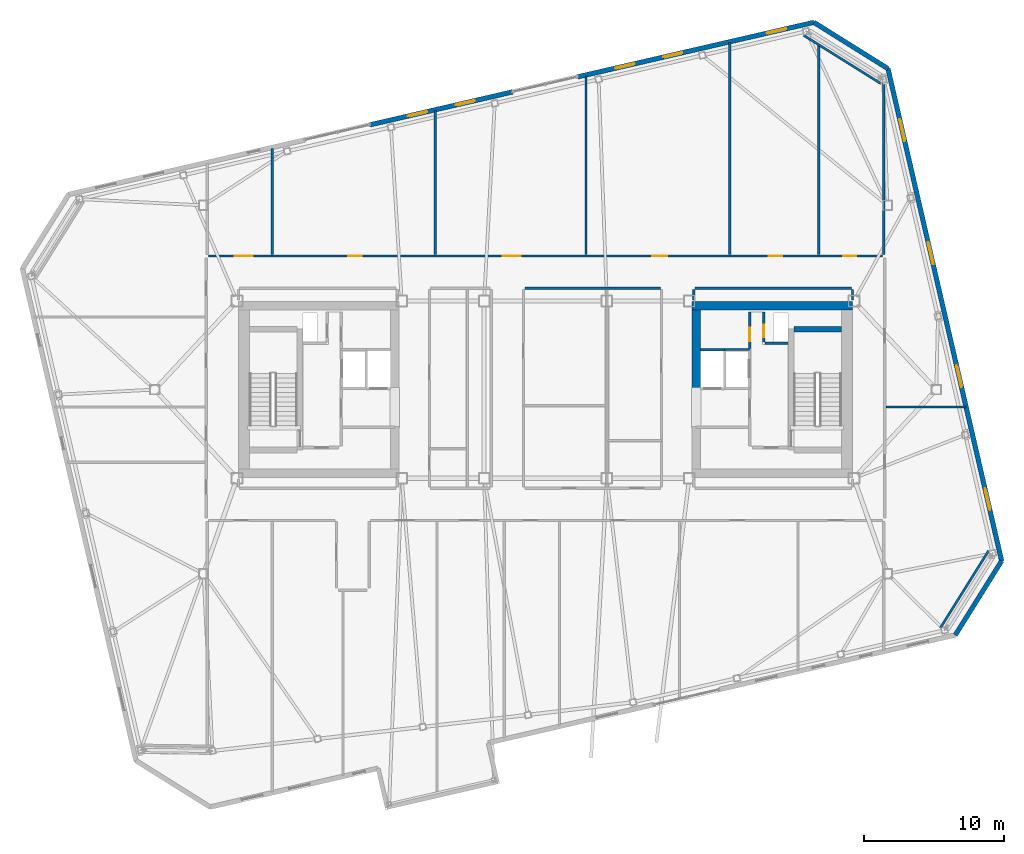
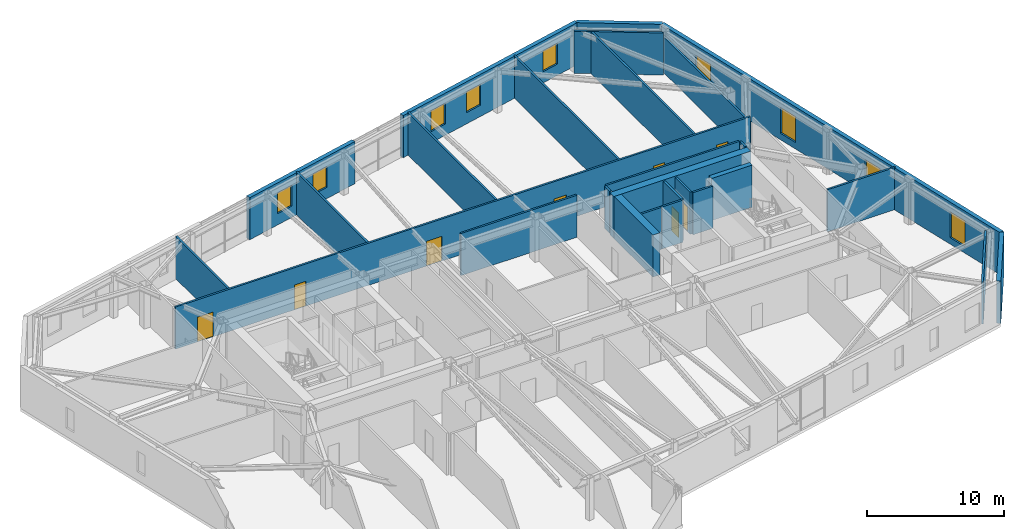
# One storey, part 17 of 21: 27 walls, 9 windows, 8 doors, 17 openings.
"""IFC4 building model written with IfcOpenShell, lengths in metres."""

from ifc_helpers import new_model, si_unit, direction, frame, frame_2d, origin, place, context, subcontext, project, spatial, rectangle, extrude, material, layer, layer_set, type_object, element, fill, save


model = new_model("IFC4")

# Units and contexts
model_context = context("Model", 3, precision=1e-05, world=origin(), true_north=direction((0.0, 1.0)))
body_context = subcontext(model_context, "Body", "Model", "MODEL_VIEW")
ifc_project = project(units=[si_unit("LENGTHUNIT", "METRE"), si_unit("AREAUNIT", "SQUARE_METRE"), si_unit("VOLUMEUNIT", "CUBIC_METRE"), si_unit("PLANEANGLEUNIT", "RADIAN"), si_unit("MASSUNIT", "GRAM", prefix="KILO")], contexts=[model_context])

# Site, building, storey
site_placement = place(None, origin())
site = spatial("IfcSite", under=ifc_project, at=site_placement, CompositionType="ELEMENT")
building_placement = place(site_placement, origin())
building = spatial("IfcBuilding", under=site, at=building_placement, Name="Tavrogorsk Clinical Tower", CompositionType="ELEMENT")
storey_placement = place(building_placement, frame((0.0, 0.0, 285.0)))
storey = spatial("IfcBuildingStorey", under=building, at=storey_placement, Name="L66", CompositionType="ELEMENT", Elevation=285.0)

# Wall, opening, door
ifc_material_1 = material(Name="Concrete B60", Category="concrete")
ifc_layer_1 = layer(ifc_material_1, 0.199951171875)
ifc_layer_set_1 = layer_set([ifc_layer_1], Name="Concrete B60")
wall_type_1 = type_object("IfcWallType", Name="CoreFireWall_200", PredefinedType="SOLIDWALL", material=ifc_layer_set_1)
wall_1_placement = place(storey_placement, frame((14.639892578125, 2.9599609375, 0.0), z_axis=(0.0, 0.0, 1.0), x_axis=(0.0, 1.0, 0.0)))
wall_1 = element("IfcWall", 1, at=wall_1_placement, inside=storey, type_object=wall_type_1, Name="L66 Core East North Core Room East Wall", PredefinedType="SOLIDWALL", context=body_context, shape_type="SweptSolid", body=[
    extrude(rectangle(XDim=2.60009765625, YDim=0.199951171875, at=frame_2d((1.300048828125, 0.0))), origin(), (0.0, 0.0, 1.0), 3.739990234375),
])
opening_1_placement = place(wall_1_placement, frame((0.52001953125, 0.0, 0.0)))
opening_1 = element("IfcOpeningElement", 2, at=opening_1_placement, cuts=wall_1, Name="Opening ID-02", PredefinedType="OPENING", context=body_context, shape_type="SweptSolid", body=[
    extrude(rectangle(XDim=0.949951171875, YDim=2.199951171875, at=frame_2d((0.47509765625, 1.10009765625))), frame((0.0, 0.10986328125, 0.0), z_axis=(0.0, -1.0, 0.0), x_axis=(1.0, 0.0, 0.0)), (0.0, 0.0, 1.0), 0.219970703125),
])
ifc_material_2 = material(Name="Laminated timber leaf on aluminium frame", Category="wood")
door_type_1 = type_object("IfcDoorType", Name="InteriorDoor_ID02_950", OperationType="NOTDEFINED", PredefinedType="DOOR", material=ifc_material_2)
door_1_placement = place(opening_1_placement, origin())
door_1 = element("IfcDoor", 3, at=door_1_placement, inside=storey, type_object=door_type_1, Name="L66 Core East Core Telemetry Room Door", OperationType="SINGLE_SWING_LEFT", OverallHeight=2.199951171875, OverallWidth=0.949951171875, PredefinedType="DOOR", context=body_context, shape_type="SweptSolid", body=[
    extrude(rectangle(XDim=0.949951171875, YDim=2.199951171875, at=frame_2d((0.47509765625, 1.10009765625))), frame((0.0, 0.02490234375, 0.0), z_axis=(0.0, -1.0, 0.0), x_axis=(1.0, 0.0, 0.0)), (0.0, 0.0, 1.0), 0.050048828125),
])
fill(opening_1, door_1)

# Walls
ifc_material_3 = material(Name="Lightweight concrete blockwork B15", Category="masonry")
ifc_layer_2 = layer(ifc_material_3, 0.159912109375)
ifc_layer_set_2 = layer_set([ifc_layer_2], Name="Lightweight concrete blockwork B15")
wall_type_2 = type_object("IfcWallType", Name="PartitionWall_160", PredefinedType="PARTITIONING", material=ifc_layer_set_2)
for number, where, z_axis, x_axis, name in (
    (4, (28.30029296875, -17.064697265625, 0.0), (0.0, 0.0, 1.0), (0.529914601736, 0.848051009591, 0.0), "L66 Corner Exoskeleton Brace Furring Wall 1"),
    (5, (24.018310546875, 21.9306640625, 0.0), (0.0, 0.0, 1.0), (-0.848051009591, 0.529914601736, 0.0), "L66 Corner Exoskeleton Brace Furring Wall 2"),
):
    element("IfcWall", number, at=place(storey_placement, frame(where, z_axis=z_axis, x_axis=x_axis)), inside=storey, type_object=wall_type_2, Name=name, PredefinedType="PARTITIONING", context=body_context, shape_type="SweptSolid", body=[
        extrude(rectangle(XDim=6.50537109375, YDim=0.159912109375, at=frame_2d((3.252685546875, 0.0))), origin(), (0.0, 0.0, 1.0), 3.739990234375),
    ])

# Wall, openings, doors
wall_2_placement = place(storey_placement, frame((-24.14501953125, 9.580078125, 0.0), z_axis=(0.0, 0.0, 1.0), x_axis=(1.0, 0.0, 0.0)))
wall_2 = element("IfcWall", 6, at=wall_2_placement, inside=storey, type_object=wall_type_2, Name="L66 Corridor Partition 02", PredefinedType="PARTITIONING", context=body_context, shape_type="SweptSolid", body=[
    extrude(rectangle(XDim=48.2900390625, YDim=0.159912109375, at=frame_2d((24.14501953125, 0.0))), origin(), (0.0, 0.0, 1.0), 3.739990234375),
])
opening_2_placement = place(wall_2_placement, frame((1.869140625, 0.0, 0.0)))
opening_2 = element("IfcOpeningElement", 7, at=opening_2_placement, cuts=wall_2, Name="Opening ID-01", PredefinedType="OPENING", context=body_context, shape_type="SweptSolid", body=[
    extrude(rectangle(XDim=1.300048828125, YDim=2.199951171875, at=frame_2d((0.64990234375, 1.10009765625))), frame((0.0, 0.08984375, 0.0), z_axis=(0.0, -1.0, 0.0), x_axis=(1.0, 0.0, 0.0)), (0.0, 0.0, 1.0), 0.179931640625),
])
opening_3_placement = place(wall_2_placement, frame((10.014892578125, 0.0, 0.0)))
opening_3 = element("IfcOpeningElement", 8, at=opening_3_placement, cuts=wall_2, Name="Opening ID-02", PredefinedType="OPENING", context=body_context, shape_type="SweptSolid", body=[
    extrude(rectangle(XDim=0.949951171875, YDim=2.199951171875, at=frame_2d((0.47509765625, 1.10009765625))), frame((0.0, 0.08984375, 0.0), z_axis=(0.0, -1.0, 0.0), x_axis=(1.0, 0.0, 0.0)), (0.0, 0.0, 1.0), 0.179931640625),
])
opening_4_placement = place(wall_2_placement, frame((21.080078125, 0.0, 0.0)))
opening_4 = element("IfcOpeningElement", 9, at=opening_4_placement, cuts=wall_2, Name="Opening ID-01", PredefinedType="OPENING", context=body_context, shape_type="SweptSolid", body=[
    extrude(rectangle(XDim=1.300048828125, YDim=2.199951171875, at=frame_2d((0.64990234375, 1.10009765625))), frame((0.0, 0.08984375, 0.0), z_axis=(0.0, -1.0, 0.0), x_axis=(1.0, 0.0, 0.0)), (0.0, 0.0, 1.0), 0.179931640625),
])
opening_5_placement = place(wall_2_placement, frame((31.804931640625, 0.0, 0.0)))
opening_5 = element("IfcOpeningElement", 10, at=opening_5_placement, cuts=wall_2, Name="Opening ID-04", PredefinedType="OPENING", context=body_context, shape_type="SweptSolid", body=[
    extrude(rectangle(XDim=1.050048828125, YDim=2.199951171875, at=frame_2d((0.52490234375, 1.10009765625))), frame((0.0, 0.08984375, 0.0), z_axis=(0.0, -1.0, 0.0), x_axis=(1.0, 0.0, 0.0)), (0.0, 0.0, 1.0), 0.179931640625),
])
opening_6_placement = place(wall_2_placement, frame((40.14501953125, 0.0, 0.0)))
opening_6 = element("IfcOpeningElement", 11, at=opening_6_placement, cuts=wall_2, Name="Opening ID-02", PredefinedType="OPENING", context=body_context, shape_type="SweptSolid", body=[
    extrude(rectangle(XDim=0.949951171875, YDim=2.199951171875, at=frame_2d((0.47509765625, 1.10009765625))), frame((0.0, 0.08984375, 0.0), z_axis=(0.0, -1.0, 0.0), x_axis=(1.0, 0.0, 0.0)), (0.0, 0.0, 1.0), 0.179931640625),
])
opening_7_placement = place(wall_2_placement, frame((45.4658203125, 0.0, 0.0)))
opening_7 = element("IfcOpeningElement", 12, at=opening_7_placement, cuts=wall_2, Name="Opening ID-02", PredefinedType="OPENING", context=body_context, shape_type="SweptSolid", body=[
    extrude(rectangle(XDim=0.949951171875, YDim=2.199951171875, at=frame_2d((0.47509765625, 1.10009765625))), frame((0.0, 0.08984375, 0.0), z_axis=(0.0, -1.0, 0.0), x_axis=(1.0, 0.0, 0.0)), (0.0, 0.0, 1.0), 0.179931640625),
])
ifc_material_4 = material(Name="Antibacterial HPL consultation door on aluminium frame", Category="aluminium")
door_type_2 = type_object("IfcDoorType", Name="ConsultDoor_ID04_1050", OperationType="NOTDEFINED", PredefinedType="DOOR", material=ifc_material_4)
door_2_placement = place(opening_5_placement, origin())
door_2 = element("IfcDoor", 13, at=door_2_placement, inside=storey, type_object=door_type_2, Name="L66 North Clinical Examination Suite 04 Door", OperationType="SINGLE_SWING_RIGHT", OverallHeight=2.199951171875, OverallWidth=1.050048828125, PredefinedType="DOOR", context=body_context, shape_type="SweptSolid", body=[
    extrude(rectangle(XDim=1.050048828125, YDim=2.199951171875, at=frame_2d((0.52490234375, 1.10009765625))), frame((0.0, 0.02490234375, 0.0), z_axis=(0.0, -1.0, 0.0), x_axis=(1.0, 0.0, 0.0)), (0.0, 0.0, 1.0), 0.050048828125),
])
fill(opening_5, door_2)
door_3_placement = place(opening_3_placement, origin())
door_3 = element("IfcDoor", 14, at=door_3_placement, inside=storey, type_object=door_type_1, Name="L66 North Multidisciplinary Case Room 02 Door", OperationType="SINGLE_SWING_RIGHT", OverallHeight=2.199951171875, OverallWidth=0.949951171875, PredefinedType="DOOR", context=body_context, shape_type="SweptSolid", body=[
    extrude(rectangle(XDim=0.949951171875, YDim=2.199951171875, at=frame_2d((0.47509765625, 1.10009765625))), frame((0.0, 0.02490234375, 0.0), z_axis=(0.0, -1.0, 0.0), x_axis=(1.0, 0.0, 0.0)), (0.0, 0.0, 1.0), 0.050048828125),
])
fill(opening_3, door_3)
door_4_placement = place(opening_6_placement, origin())
door_4 = element("IfcDoor", 15, at=door_4_placement, inside=storey, type_object=door_type_1, Name="L66 North Diagnostic Ultrasound Suite 05 Door", OperationType="SINGLE_SWING_LEFT", OverallHeight=2.199951171875, OverallWidth=0.949951171875, PredefinedType="DOOR", context=body_context, shape_type="SweptSolid", body=[
    extrude(rectangle(XDim=0.949951171875, YDim=2.199951171875, at=frame_2d((0.47509765625, 1.10009765625))), frame((0.0, 0.02490234375, 0.0), z_axis=(0.0, -1.0, 0.0), x_axis=(1.0, 0.0, 0.0)), (0.0, 0.0, 1.0), 0.050048828125),
])
fill(opening_6, door_4)
door_5_placement = place(opening_7_placement, origin())
door_5 = element("IfcDoor", 16, at=door_5_placement, inside=storey, type_object=door_type_1, Name="L66 North Physiotherapy Rehab Studio 06 Door", OperationType="SINGLE_SWING_RIGHT", OverallHeight=2.199951171875, OverallWidth=0.949951171875, PredefinedType="DOOR", context=body_context, shape_type="SweptSolid", body=[
    extrude(rectangle(XDim=0.949951171875, YDim=2.199951171875, at=frame_2d((0.47509765625, 1.10009765625))), frame((0.0, 0.02490234375, 0.0), z_axis=(0.0, -1.0, 0.0), x_axis=(1.0, 0.0, 0.0)), (0.0, 0.0, 1.0), 0.050048828125),
])
fill(opening_7, door_5)
ifc_material_5 = material(Name="Antibacterial HPL medical leaf on aluminium frame", Category="aluminium")
door_type_3 = type_object("IfcDoorType", Name="WardBedDoor_ID01_1300", OperationType="NOTDEFINED", PredefinedType="DOOR", material=ifc_material_5)
door_6_placement = place(opening_2_placement, origin())
door_6 = element("IfcDoor", 17, at=door_6_placement, inside=storey, type_object=door_type_3, Name="L66 North Sub-Acute Recovery Ward 01 Door", OperationType="SINGLE_SWING_LEFT", OverallHeight=2.199951171875, OverallWidth=1.300048828125, PredefinedType="DOOR", context=body_context, shape_type="SweptSolid", body=[
    extrude(rectangle(XDim=1.300048828125, YDim=2.199951171875, at=frame_2d((0.64990234375, 1.10009765625))), frame((0.0, 0.02490234375, 0.0), z_axis=(0.0, -1.0, 0.0), x_axis=(1.0, 0.0, 0.0)), (0.0, 0.0, 1.0), 0.050048828125),
])
fill(opening_2, door_6)
door_7_placement = place(opening_4_placement, origin())
door_7 = element("IfcDoor", 18, at=door_7_placement, inside=storey, type_object=door_type_3, Name="L66 North Inpatient Clinical Ward 03 Door", OperationType="SINGLE_SWING_LEFT", OverallHeight=2.199951171875, OverallWidth=1.300048828125, PredefinedType="DOOR", context=body_context, shape_type="SweptSolid", body=[
    extrude(rectangle(XDim=1.300048828125, YDim=2.199951171875, at=frame_2d((0.64990234375, 1.10009765625))), frame((0.0, 0.02490234375, 0.0), z_axis=(0.0, -1.0, 0.0), x_axis=(1.0, 0.0, 0.0)), (0.0, 0.0, 1.0), 0.050048828125),
])
fill(opening_4, door_7)

# Walls
wall_3_placement = place(storey_placement, frame((21.9150390625, 7.27001953125, 0.0), z_axis=(0.0, 0.0, 1.0), x_axis=(-1.0, 0.0, 0.0)))
element("IfcWall", 19, at=wall_3_placement, inside=storey, type_object=wall_type_2, Name="L66 Corridor Partition 09", PredefinedType="PARTITIONING", context=body_context, shape_type="SweptSolid", body=[
    extrude(rectangle(XDim=11.199951171875, YDim=0.159912109375, at=frame_2d((5.60009765625, 0.0))), origin(), (0.0, 0.0, 1.0), 3.739990234375),
])
for number, where, z_axis, x_axis, name in (
    (20, (10.6298828125, 7.18505859375, 0.0), (0.0, 0.0, 1.0), (0.0, -1.0, 0.0), "L66 Corridor Partition 10"),
    (21, (22.0, 6.419921875, 0.0), (0.0, 0.0, 1.0), (0.0, 1.0, 0.0), "L66 Corridor Partition 14"),
):
    element("IfcWall", number, at=place(storey_placement, frame(where, z_axis=z_axis, x_axis=x_axis)), inside=storey, type_object=wall_type_2, Name=name, PredefinedType="PARTITIONING", context=body_context, shape_type="SweptSolid", body=[
        extrude(rectangle(XDim=0.76513671875, YDim=0.159912109375, at=frame_2d((0.382568359375, 0.0))), origin(), (0.0, 0.0, 1.0), 3.739990234375),
    ])
wall_4_placement = place(storey_placement, frame((8.235107421875, 7.27001953125, 0.0), z_axis=(0.0, 0.0, 1.0), x_axis=(-1.0, 0.0, 0.0)))
element("IfcWall", 22, at=wall_4_placement, inside=storey, type_object=wall_type_2, Name="L66 Corridor Partition 15", PredefinedType="PARTITIONING", context=body_context, shape_type="SweptSolid", body=[
    extrude(rectangle(XDim=9.72021484375, YDim=0.159912109375, at=frame_2d((4.860107421875, 0.0))), origin(), (0.0, 0.0, 1.0), 3.739990234375),
])
wall_5_placement = place(storey_placement, frame((24.22998046875, 9.6650390625, 0.0), z_axis=(0.0, 0.0, 1.0), x_axis=(0.0, 1.0, 0.0)))
element("IfcWall", 23, at=wall_5_placement, inside=storey, type_object=wall_type_2, Name="L66 NE Wing Closure Partition", PredefinedType="PARTITIONING", context=body_context, shape_type="SweptSolid", body=[
    extrude(rectangle(XDim=12.90625, YDim=0.159912109375, at=frame_2d((6.453125, 0.0))), origin(), (0.0, 0.0, 1.0), 3.18505859375),
])
wall_6_placement = place(storey_placement, frame((-19.580078125, 9.6650390625, 0.0), z_axis=(0.0, 0.0, 1.0), x_axis=(0.0, 1.0, 0.0)))
element("IfcWall", 24, at=wall_6_placement, inside=storey, type_object=wall_type_2, Name="L66 North Room Partition 1", PredefinedType="PARTITIONING", context=body_context, shape_type="SweptSolid", body=[
    extrude(rectangle(XDim=7.619384765625, YDim=0.159912109375, at=frame_2d((3.8095703125, 0.0))), origin(), (0.0, 0.0, 1.0), 3.739990234375),
])
wall_7_placement = place(storey_placement, frame((-7.89990234375, 9.6650390625, 0.0), z_axis=(0.0, 0.0, 1.0), x_axis=(0.0, 1.0, 0.0)))
element("IfcWall", 25, at=wall_7_placement, inside=storey, type_object=wall_type_2, Name="L66 North Room Partition 2", PredefinedType="PARTITIONING", context=body_context, shape_type="SweptSolid", body=[
    extrude(rectangle(XDim=10.31591796875, YDim=0.159912109375, at=frame_2d((5.157958984375, 0.0))), origin(), (0.0, 0.0, 1.0), 3.739990234375),
])
wall_8_placement = place(storey_placement, frame((2.89990234375, 9.6650390625, 0.0), z_axis=(0.0, 0.0, 1.0), x_axis=(0.0, 1.0, 0.0)))
element("IfcWall", 26, at=wall_8_placement, inside=storey, type_object=wall_type_2, Name="L66 North Room Partition 3", PredefinedType="PARTITIONING", context=body_context, shape_type="SweptSolid", body=[
    extrude(rectangle(XDim=12.809326171875, YDim=0.159912109375, at=frame_2d((6.40478515625, 0.0))), origin(), (0.0, 0.0, 1.0), 3.739990234375),
])
wall_9_placement = place(storey_placement, frame((13.199951171875, 9.6650390625, 0.0), z_axis=(0.0, 0.0, 1.0), x_axis=(0.0, 1.0, 0.0)))
element("IfcWall", 27, at=wall_9_placement, inside=storey, type_object=wall_type_2, Name="L66 North Room Partition 4", PredefinedType="PARTITIONING", context=body_context, shape_type="SweptSolid", body=[
    extrude(rectangle(XDim=15.187255859375, YDim=0.159912109375, at=frame_2d((7.59375, 0.0))), origin(), (0.0, 0.0, 1.0), 3.739990234375),
])
wall_10_placement = place(storey_placement, frame((19.580078125, 9.6650390625, 0.0), z_axis=(0.0, 0.0, 1.0), x_axis=(0.0, 1.0, 0.0)))
element("IfcWall", 28, at=wall_10_placement, inside=storey, type_object=wall_type_2, Name="L66 North Room Partition 5", PredefinedType="PARTITIONING", context=body_context, shape_type="SweptSolid", body=[
    extrude(rectangle(XDim=15.04833984375, YDim=0.159912109375, at=frame_2d((7.524169921875, 0.0))), origin(), (0.0, 0.0, 1.0), 3.739990234375),
])
wall_11_placement = place(storey_placement, frame((24.39501953125, -1.25, 0.0), z_axis=(0.0, 0.0, 1.0), x_axis=(1.0, 0.0, 0.0)))
element("IfcWall", 29, at=wall_11_placement, inside=storey, type_object=wall_type_2, Name="L66 E Wing Divider 1", PredefinedType="PARTITIONING", context=body_context, shape_type="SweptSolid", body=[
    extrude(rectangle(XDim=5.724853515625, YDim=0.159912109375, at=frame_2d((2.8623046875, 0.0))), origin(), (0.0, 0.0, 1.0), 3.739990234375),
])

# Wall, openings, windows
ifc_material_6 = material(Name="Precast concrete B45 with limestone cladding", Category="masonry")
ifc_layer_3 = layer(ifc_material_6, 0.340087890625)
ifc_layer_set_3 = layer_set([ifc_layer_3], Name="Precast concrete B45 with limestone cladding")
wall_type_3 = type_object("IfcWallType", Name="PrecastLimestoneWall_340", PredefinedType="STANDARD", material=ifc_layer_set_3)
wall_12_placement = place(storey_placement, frame((19.2294921875, 26.316162109375, 0.0), z_axis=(0.0, 0.0, 1.0), x_axis=(-0.974372473594, -0.224940620392, 0.0)))
wall_12 = element("IfcWall", 30, at=wall_12_placement, inside=storey, type_object=wall_type_3, Name="L66 N Limestone Facade Wall 1", PredefinedType="STANDARD", context=body_context, shape_type="SweptSolid", body=[
    extrude(rectangle(XDim=17.36572265625, YDim=0.340087890625, at=frame_2d((8.682861328125, 0.0))), origin(), (0.0, 0.0, 1.0), 3.739990234375),
])
opening_8_placement = place(wall_12_placement, frame((13.187255859375, 0.0, 1.0)))
opening_8 = element("IfcOpeningElement", 31, at=opening_8_placement, cuts=wall_12, Name="Opening WN-17", PredefinedType="OPENING", context=body_context, shape_type="SweptSolid", body=[
    extrude(rectangle(XDim=1.39990234375, YDim=1.85009765625, at=frame_2d((0.699951171875, 0.925048828125))), frame((0.0, 0.179931640625, 0.0), z_axis=(0.0, -1.0, 0.0), x_axis=(1.0, 0.0, 0.0)), (0.0, 0.0, 1.0), 0.360107421875),
])
opening_9_placement = place(wall_12_placement, frame((9.675537109375, 0.0, 1.0)))
opening_9 = element("IfcOpeningElement", 32, at=opening_9_placement, cuts=wall_12, Name="Opening WN-17", PredefinedType="OPENING", context=body_context, shape_type="SweptSolid", body=[
    extrude(rectangle(XDim=1.39990234375, YDim=1.85009765625, at=frame_2d((0.699951171875, 0.925048828125))), frame((0.0, 0.179931640625, 0.0), z_axis=(0.0, -1.0, 0.0), x_axis=(1.0, 0.0, 0.0)), (0.0, 0.0, 1.0), 0.360107421875),
])
opening_10_placement = place(wall_12_placement, frame((2.041259765625, 0.0, 1.0)))
opening_10 = element("IfcOpeningElement", 33, at=opening_10_placement, cuts=wall_12, Name="Opening WN-17", PredefinedType="OPENING", context=body_context, shape_type="SweptSolid", body=[
    extrude(rectangle(XDim=1.39990234375, YDim=1.85009765625, at=frame_2d((0.699951171875, 0.925048828125))), frame((0.0, 0.179931640625, 0.0), z_axis=(0.0, -1.0, 0.0), x_axis=(1.0, 0.0, 0.0)), (0.0, 0.0, 1.0), 0.360107421875),
])
ifc_material_7 = material(Name="Thermally broken aluminium frame and triple IGU", Category="aluminium")
window_type_1 = type_object("IfcWindowType", Name="TelemetryWin_1400x1850", PartitioningType="SINGLE_PANEL", PredefinedType="WINDOW", material=ifc_material_7)
window_1_placement = place(opening_8_placement, origin())
window_1 = element("IfcWindow", 34, at=window_1_placement, inside=storey, type_object=window_type_1, Name="L66 N Chicago Window 07", OverallHeight=1.85009765625, OverallWidth=1.39990234375, PartitioningType="SINGLE_PANEL", PredefinedType="WINDOW", context=body_context, shape_type="SweptSolid", body=[
    extrude(rectangle(XDim=1.39990234375, YDim=1.85009765625, at=frame_2d((0.699951171875, 0.925048828125))), frame((0.0, 0.030029296875, 0.0), z_axis=(0.0, -1.0, 0.0), x_axis=(1.0, 0.0, 0.0)), (0.0, 0.0, 1.0), 0.06005859375),
])
fill(opening_8, window_1)
window_2_placement = place(opening_9_placement, origin())
window_2 = element("IfcWindow", 35, at=window_2_placement, inside=storey, type_object=window_type_1, Name="L66 N Chicago Window 08", OverallHeight=1.85009765625, OverallWidth=1.39990234375, PartitioningType="SINGLE_PANEL", PredefinedType="WINDOW", context=body_context, shape_type="SweptSolid", body=[
    extrude(rectangle(XDim=1.39990234375, YDim=1.85009765625, at=frame_2d((0.699951171875, 0.925048828125))), frame((0.0, 0.030029296875, 0.0), z_axis=(0.0, -1.0, 0.0), x_axis=(1.0, 0.0, 0.0)), (0.0, 0.0, 1.0), 0.06005859375),
])
fill(opening_9, window_2)
window_3_placement = place(opening_10_placement, origin())
window_3 = element("IfcWindow", 36, at=window_3_placement, inside=storey, type_object=window_type_1, Name="L66 N Chicago Window 10", OverallHeight=1.85009765625, OverallWidth=1.39990234375, PartitioningType="SINGLE_PANEL", PredefinedType="WINDOW", context=body_context, shape_type="SweptSolid", body=[
    extrude(rectangle(XDim=1.39990234375, YDim=1.85009765625, at=frame_2d((0.699951171875, 0.925048828125))), frame((0.0, 0.030029296875, 0.0), z_axis=(0.0, -1.0, 0.0), x_axis=(1.0, 0.0, 0.0)), (0.0, 0.0, 1.0), 0.06005859375),
])
fill(opening_10, window_3)

wall_13_placement = place(storey_placement, frame((-2.3681640625, 21.330078125, 0.0), z_axis=(0.0, 0.0, 1.0), x_axis=(-0.974367213107, -0.224963405961, 0.0)))
wall_13 = element("IfcWall", 37, at=wall_13_placement, inside=storey, type_object=wall_type_3, Name="L66 N Limestone Facade Wall 2", PredefinedType="STANDARD", context=body_context, shape_type="SweptSolid", body=[
    extrude(rectangle(XDim=10.46826171875, YDim=0.340087890625, at=frame_2d((5.234130859375, 0.0))), origin(), (0.0, 0.0, 1.0), 3.739990234375),
])
opening_11_placement = place(wall_13_placement, frame((6.2900390625, 0.0, 1.0)))
opening_11 = element("IfcOpeningElement", 38, at=opening_11_placement, cuts=wall_13, Name="Opening WN-17", PredefinedType="OPENING", context=body_context, shape_type="SweptSolid", body=[
    extrude(rectangle(XDim=1.39990234375, YDim=1.85009765625, at=frame_2d((0.699951171875, 0.925048828125))), frame((0.0, 0.179931640625, 0.0), z_axis=(0.0, -1.0, 0.0), x_axis=(1.0, 0.0, 0.0)), (0.0, 0.0, 1.0), 0.360107421875),
])
opening_12_placement = place(wall_13_placement, frame((2.7783203125, 0.0, 1.0)))
opening_12 = element("IfcOpeningElement", 39, at=opening_12_placement, cuts=wall_13, Name="Opening WN-17", PredefinedType="OPENING", context=body_context, shape_type="SweptSolid", body=[
    extrude(rectangle(XDim=1.39990234375, YDim=1.85009765625, at=frame_2d((0.699951171875, 0.925048828125))), frame((0.0, 0.179931640625, 0.0), z_axis=(0.0, -1.0, 0.0), x_axis=(1.0, 0.0, 0.0)), (0.0, 0.0, 1.0), 0.360107421875),
])
window_4_placement = place(opening_11_placement, origin())
window_4 = element("IfcWindow", 40, at=window_4_placement, inside=storey, type_object=window_type_1, Name="L66 N Chicago Window 05", OverallHeight=1.85009765625, OverallWidth=1.39990234375, PartitioningType="SINGLE_PANEL", PredefinedType="WINDOW", context=body_context, shape_type="SweptSolid", body=[
    extrude(rectangle(XDim=1.39990234375, YDim=1.85009765625, at=frame_2d((0.699951171875, 0.925048828125))), frame((0.0, 0.030029296875, 0.0), z_axis=(0.0, -1.0, 0.0), x_axis=(1.0, 0.0, 0.0)), (0.0, 0.0, 1.0), 0.06005859375),
])
fill(opening_11, window_4)
window_5_placement = place(opening_12_placement, origin())
window_5 = element("IfcWindow", 41, at=window_5_placement, inside=storey, type_object=window_type_1, Name="L66 N Chicago Window 06", OverallHeight=1.85009765625, OverallWidth=1.39990234375, PartitioningType="SINGLE_PANEL", PredefinedType="WINDOW", context=body_context, shape_type="SweptSolid", body=[
    extrude(rectangle(XDim=1.39990234375, YDim=1.85009765625, at=frame_2d((0.699951171875, 0.925048828125))), frame((0.0, 0.030029296875, 0.0), z_axis=(0.0, -1.0, 0.0), x_axis=(1.0, 0.0, 0.0)), (0.0, 0.0, 1.0), 0.06005859375),
])
fill(opening_12, window_5)

wall_14_placement = place(storey_placement, frame((32.685791015625, -12.27587890625, 0.0), z_axis=(0.0, 0.0, 1.0), x_axis=(-0.224953091034, 0.974369594576, 0.0)))
wall_14 = element("IfcWall", 42, at=wall_14_placement, inside=storey, type_object=wall_type_3, Name="L66 E Pleated Limestone Wing Wall", PredefinedType="STANDARD", context=body_context, shape_type="SweptSolid", body=[
    extrude(rectangle(XDim=36.199951171875, YDim=0.340087890625, at=frame_2d((18.10009765625, 0.0))), origin(), (0.0, 0.0, 1.0), 3.739990234375),
])
opening_13_placement = place(wall_14_placement, frame((3.72509765625, 0.0, 0.580078125)))
opening_13 = element("IfcOpeningElement", 43, at=opening_13_placement, cuts=wall_14, Name="Opening WN-07", PredefinedType="OPENING", context=body_context, shape_type="SweptSolid", body=[
    extrude(rectangle(XDim=1.60009765625, YDim=2.300048828125, at=frame_2d((0.800048828125, 1.14990234375))), frame((0.0, 0.179931640625, 0.0), z_axis=(0.0, -1.0, 0.0), x_axis=(1.0, 0.0, 0.0)), (0.0, 0.0, 1.0), 0.360107421875),
])
opening_14_placement = place(wall_14_placement, frame((12.77490234375, 0.0, 0.580078125)))
opening_14 = element("IfcOpeningElement", 44, at=opening_14_placement, cuts=wall_14, Name="Opening WN-07", PredefinedType="OPENING", context=body_context, shape_type="SweptSolid", body=[
    extrude(rectangle(XDim=1.60009765625, YDim=2.300048828125, at=frame_2d((0.800048828125, 1.14990234375))), frame((0.0, 0.179931640625, 0.0), z_axis=(0.0, -1.0, 0.0), x_axis=(1.0, 0.0, 0.0)), (0.0, 0.0, 1.0), 0.360107421875),
])
opening_15_placement = place(wall_14_placement, frame((21.824951171875, 0.0, 0.580078125)))
opening_15 = element("IfcOpeningElement", 45, at=opening_15_placement, cuts=wall_14, Name="Opening WN-07", PredefinedType="OPENING", context=body_context, shape_type="SweptSolid", body=[
    extrude(rectangle(XDim=1.60009765625, YDim=2.300048828125, at=frame_2d((0.800048828125, 1.14990234375))), frame((0.0, 0.179931640625, 0.0), z_axis=(0.0, -1.0, 0.0), x_axis=(1.0, 0.0, 0.0)), (0.0, 0.0, 1.0), 0.360107421875),
])
opening_16_placement = place(wall_14_placement, frame((30.875, 0.0, 0.580078125)))
opening_16 = element("IfcOpeningElement", 46, at=opening_16_placement, cuts=wall_14, Name="Opening WN-07", PredefinedType="OPENING", context=body_context, shape_type="SweptSolid", body=[
    extrude(rectangle(XDim=1.60009765625, YDim=2.300048828125, at=frame_2d((0.800048828125, 1.14990234375))), frame((0.0, 0.179931640625, 0.0), z_axis=(0.0, -1.0, 0.0), x_axis=(1.0, 0.0, 0.0)), (0.0, 0.0, 1.0), 0.360107421875),
])
ifc_material_8 = material(Name="Thermally broken aluminium frame and triple IGU", Category="aluminium")
window_type_2 = type_object("IfcWindowType", Name="PleatSlotWin_1600x2300", PartitioningType="SINGLE_PANEL", PredefinedType="WINDOW", material=ifc_material_8)
window_6_placement = place(opening_13_placement, origin())
window_6 = element("IfcWindow", 47, at=window_6_placement, inside=storey, type_object=window_type_2, Name="L66 E Pleat Slot Window 1", OverallHeight=2.300048828125, OverallWidth=1.60009765625, PartitioningType="SINGLE_PANEL", PredefinedType="WINDOW", context=body_context, shape_type="SweptSolid", body=[
    extrude(rectangle(XDim=1.60009765625, YDim=2.300048828125, at=frame_2d((0.800048828125, 1.14990234375))), frame((0.0, 0.030029296875, 0.0), z_axis=(0.0, -1.0, 0.0), x_axis=(1.0, 0.0, 0.0)), (0.0, 0.0, 1.0), 0.06005859375),
])
fill(opening_13, window_6)
window_7_placement = place(opening_14_placement, origin())
window_7 = element("IfcWindow", 48, at=window_7_placement, inside=storey, type_object=window_type_2, Name="L66 E Pleat Slot Window 2", OverallHeight=2.300048828125, OverallWidth=1.60009765625, PartitioningType="SINGLE_PANEL", PredefinedType="WINDOW", context=body_context, shape_type="SweptSolid", body=[
    extrude(rectangle(XDim=1.60009765625, YDim=2.300048828125, at=frame_2d((0.800048828125, 1.14990234375))), frame((0.0, 0.030029296875, 0.0), z_axis=(0.0, -1.0, 0.0), x_axis=(1.0, 0.0, 0.0)), (0.0, 0.0, 1.0), 0.06005859375),
])
fill(opening_14, window_7)
window_8_placement = place(opening_15_placement, origin())
window_8 = element("IfcWindow", 49, at=window_8_placement, inside=storey, type_object=window_type_2, Name="L66 E Pleat Slot Window 3", OverallHeight=2.300048828125, OverallWidth=1.60009765625, PartitioningType="SINGLE_PANEL", PredefinedType="WINDOW", context=body_context, shape_type="SweptSolid", body=[
    extrude(rectangle(XDim=1.60009765625, YDim=2.300048828125, at=frame_2d((0.800048828125, 1.14990234375))), frame((0.0, 0.030029296875, 0.0), z_axis=(0.0, -1.0, 0.0), x_axis=(1.0, 0.0, 0.0)), (0.0, 0.0, 1.0), 0.06005859375),
])
fill(opening_15, window_8)
window_9_placement = place(opening_16_placement, origin())
window_9 = element("IfcWindow", 50, at=window_9_placement, inside=storey, type_object=window_type_2, Name="L66 E Pleat Slot Window 4", OverallHeight=2.300048828125, OverallWidth=1.60009765625, PartitioningType="SINGLE_PANEL", PredefinedType="WINDOW", context=body_context, shape_type="SweptSolid", body=[
    extrude(rectangle(XDim=1.60009765625, YDim=2.300048828125, at=frame_2d((0.800048828125, 1.14990234375))), frame((0.0, 0.030029296875, 0.0), z_axis=(0.0, -1.0, 0.0), x_axis=(1.0, 0.0, 0.0)), (0.0, 0.0, 1.0), 0.06005859375),
])
fill(opening_16, window_9)

# Walls
for number, where, z_axis, x_axis, name in (
    (51, (29.365966796875, -17.5888671875, 0.0), (0.0, 0.0, 1.0), (0.529907862057, 0.848055220921, 0.0), "L66 Chamfered Corner Wall 1"),
    (52, (24.54248046875, 22.996337890625, 0.0), (0.0, 0.0, 1.0), (-0.848055220921, 0.529907862057, 0.0), "L66 Chamfered Corner Wall 2"),
):
    element("IfcWall", number, at=place(storey_placement, frame(where, z_axis=z_axis, x_axis=x_axis)), inside=storey, type_object=wall_type_3, Name=name, PredefinedType="STANDARD", context=body_context, shape_type="SweptSolid", body=[
        extrude(rectangle(XDim=6.264892578125, YDim=0.340087890625, at=frame_2d((3.13232421875, 0.0))), origin(), (0.0, 0.0, 1.0), 3.739990234375),
    ])
ifc_material_9 = material(Name="Lightweight concrete blockwork B25", Category="masonry")
ifc_layer_4 = layer(ifc_material_9, 0.159912109375)
ifc_layer_set_4 = layer_set([ifc_layer_4], Name="Lightweight concrete blockwork B25")
wall_type_4 = type_object("IfcWallType", Name="ShaftWall_160", PredefinedType="PARTITIONING", material=ifc_layer_set_4)
wall_15_placement = place(storey_placement, frame((12.840087890625, 2.8798828125, 0.0), z_axis=(0.0, 0.0, 1.0), x_axis=(1.0, 0.0, 0.0)))
element("IfcWall", 53, at=wall_15_placement, inside=storey, type_object=wall_type_4, Name="L66 FFL-E Shaft North Wall", PredefinedType="PARTITIONING", context=body_context, shape_type="SweptSolid", body=[
    extrude(rectangle(XDim=1.760009765625, YDim=0.159912109375, at=frame_2d((0.8798828125, 0.0))), origin(), (0.0, 0.0, 1.0), 3.739990234375),
])
wall_16_placement = place(storey_placement, frame((11.10009765625, 2.860107421875, 0.0), z_axis=(0.0, 0.0, 1.0), x_axis=(1.0, 0.0, 0.0)))
element("IfcWall", 54, at=wall_16_placement, inside=storey, type_object=wall_type_4, Name="L66 LP-H2 High-Zone Lift Rear Wall", PredefinedType="PARTITIONING", context=body_context, shape_type="SweptSolid", body=[
    extrude(rectangle(XDim=1.719970703125, YDim=0.159912109375, at=frame_2d((0.85986328125, 0.0))), origin(), (0.0, 0.0, 1.0), 3.739990234375),
])

# Wall, opening, door
wall_17_placement = place(storey_placement, frame((15.639892578125, 3.405029296875, 0.0), z_axis=(0.0, 0.0, 1.0), x_axis=(0.0, 1.0, 0.0)))
wall_17 = element("IfcWall", 55, at=wall_17_placement, inside=storey, type_object=wall_type_4, Name="L66 Core East Riser West Wall", PredefinedType="PARTITIONING", context=body_context, shape_type="SweptSolid", body=[
    extrude(rectangle(XDim=2.155029296875, YDim=0.159912109375, at=frame_2d((1.07763671875, 0.0))), origin(), (0.0, 0.0, 1.0), 3.739990234375),
])
opening_17_placement = place(wall_17_placement, frame((0.35009765625, 0.0, 0.0)))
opening_17 = element("IfcOpeningElement", 56, at=opening_17_placement, cuts=wall_17, Name="Opening FD-02", PredefinedType="OPENING", context=body_context, shape_type="SweptSolid", body=[
    extrude(rectangle(XDim=0.89990234375, YDim=2.199951171875, at=frame_2d((0.449951171875, 1.10009765625))), frame((0.0, 0.08984375, 0.0), z_axis=(0.0, -1.0, 0.0), x_axis=(1.0, 0.0, 0.0)), (0.0, 0.0, 1.0), 0.179931640625),
])
ifc_material_10 = material(Name="Galvanised steel fire-rated door assembly", Category="steel")
door_type_4 = type_object("IfcDoorType", Name="FireDoor_FD02_900", OperationType="NOTDEFINED", PredefinedType="DOOR", material=ifc_material_10)
door_8_placement = place(opening_17_placement, origin())
door_8 = element("IfcDoor", 57, at=door_8_placement, inside=storey, type_object=door_type_4, Name="L66 Core East Electrical Riser Access Door", OperationType="SINGLE_SWING_LEFT", OverallHeight=2.199951171875, OverallWidth=0.89990234375, PredefinedType="DOOR", context=body_context, shape_type="SweptSolid", body=[
    extrude(rectangle(XDim=0.89990234375, YDim=2.199951171875, at=frame_2d((0.449951171875, 1.10009765625))), frame((0.0, 0.02490234375, 0.0), z_axis=(0.0, -1.0, 0.0), x_axis=(1.0, 0.0, 0.0)), (0.0, 0.0, 1.0), 0.050048828125),
])
fill(opening_17, door_8)

# Walls
wall_18_placement = place(storey_placement, frame((15.72509765625, 3.320068359375, 0.0), z_axis=(0.0, 0.0, 1.0), x_axis=(1.0, 0.0, 0.0)))
element("IfcWall", 58, at=wall_18_placement, inside=storey, type_object=wall_type_4, Name="L66 Core East Riser South Wall", PredefinedType="PARTITIONING", context=body_context, shape_type="SweptSolid", body=[
    extrude(rectangle(XDim=1.65478515625, YDim=0.159912109375, at=frame_2d((0.827392578125, 0.0))), origin(), (0.0, 0.0, 1.0), 3.739990234375),
])
ifc_material_11 = material(Name="Concrete B80", Category="concrete")
ifc_layer_5 = layer(ifc_material_11, 0.39990234375)
ifc_layer_set_5 = layer_set([ifc_layer_5], Name="Concrete B80")
wall_type_5 = type_object("IfcWallType", Name="ShearWall_400", PredefinedType="SHEAR", material=ifc_layer_set_5)
wall_19_placement = place(storey_placement, frame((17.800048828125, 4.324951171875, 0.0), z_axis=(0.0, 0.0, 1.0), x_axis=(1.0, 0.0, 0.0)))
element("IfcWall", 59, at=wall_19_placement, inside=storey, type_object=wall_type_5, Name="L66 Core East Stair Shaft North Shear Wall", PredefinedType="SHEAR", context=body_context, shape_type="SweptSolid", body=[
    extrude(rectangle(XDim=3.39990234375, YDim=0.39990234375, at=frame_2d((1.699951171875, 0.0))), origin(), (0.0, 0.0, 1.0), 3.739990234375),
])
ifc_material_12 = material(Name="Concrete B80", Category="concrete")
ifc_layer_6 = layer(ifc_material_12, 0.60009765625)
ifc_layer_set_6 = layer_set([ifc_layer_6], Name="Concrete B80")
wall_type_6 = type_object("IfcWallType", Name="ShearWall_600", PredefinedType="SHEAR", material=ifc_layer_set_6)
wall_20_placement = place(storey_placement, frame((10.5, 6.0, 0.0), z_axis=(0.0, 0.0, 1.0), x_axis=(1.0, 0.0, 0.0)))
element("IfcWall", 60, at=wall_20_placement, inside=storey, type_object=wall_type_6, Name="L66 Core East North Shear Wall", PredefinedType="SHEAR", context=body_context, shape_type="SweptSolid", body=[
    extrude(rectangle(XDim=11.5, YDim=0.60009765625, at=frame_2d((5.75, 0.0))), origin(), (0.0, 0.0, 1.0), 3.739990234375),
])
wall_21_placement = place(storey_placement, frame((10.800048828125, 0.050048828125, 0.0), z_axis=(0.0, 0.0, 1.0), x_axis=(0.0, 1.0, 0.0)))
element("IfcWall", 61, at=wall_21_placement, inside=storey, type_object=wall_type_6, Name="L66 Core East Inner North Pier", PredefinedType="SHEAR", context=body_context, shape_type="SweptSolid", body=[
    extrude(rectangle(XDim=5.64990234375, YDim=0.60009765625, at=frame_2d((2.824951171875, 0.0))), origin(), (0.0, 0.0, 1.0), 3.739990234375),
])

save(model, "model.ifc")
